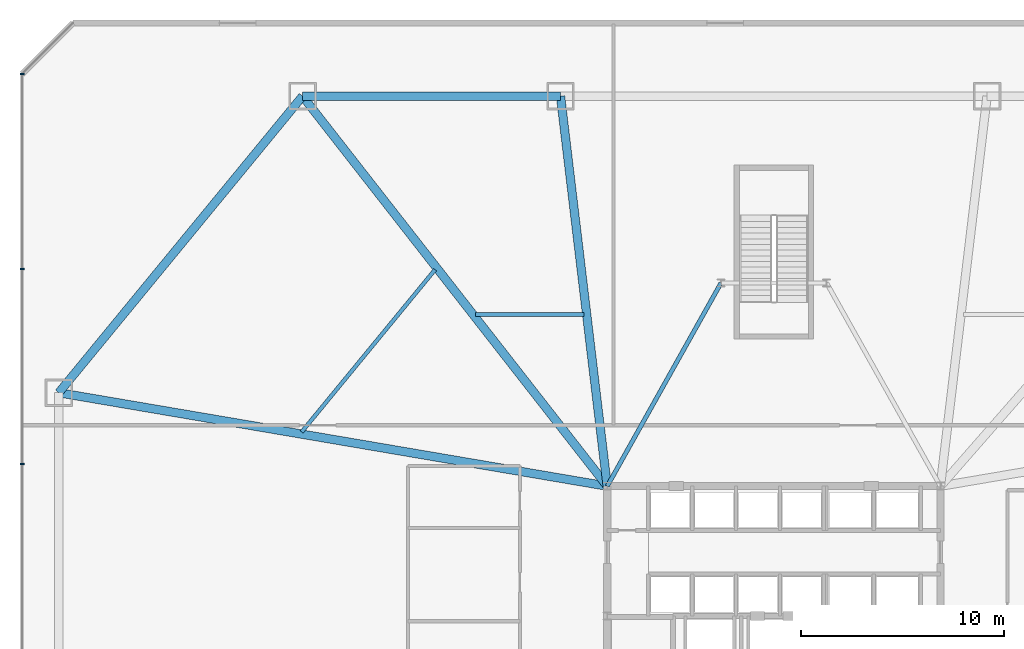
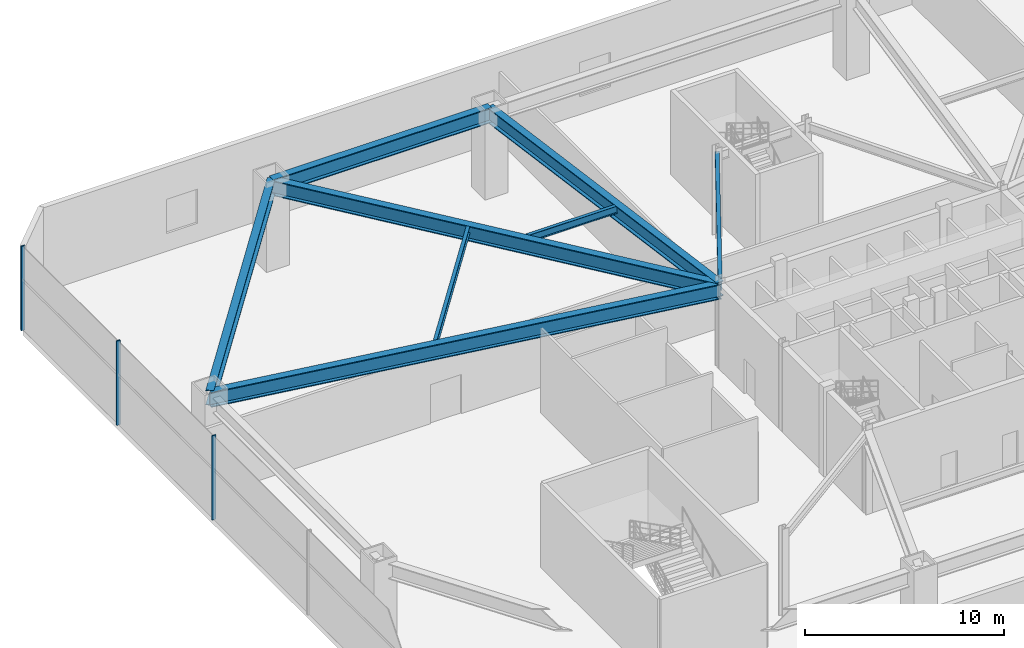
# One storey, part 7 of 20: 8 beams, 3 members, 1 element without a shape of its own.
"""IFC4 building model written with IfcOpenShell, lengths in metres."""

from ifc_helpers import new_model, si_unit, direction, frame, origin, origin_2d, place, context, subcontext, project, spatial, rectangle, i_section, extrude, source, transform, mapped, material, layer, layer_set, material_profile, profile_set, type_object, type_shapes, element, aggregate, save


model = new_model("IFC4")

# Units and contexts
model_context = context("Model", 3, precision=1e-05, world=origin(), true_north=direction((0.0, 1.0)))
body_context = subcontext(model_context, "Body", "Model", "MODEL_VIEW")
ifc_project = project(units=[si_unit("LENGTHUNIT", "METRE"), si_unit("AREAUNIT", "SQUARE_METRE"), si_unit("VOLUMEUNIT", "CUBIC_METRE"), si_unit("PLANEANGLEUNIT", "RADIAN"), si_unit("MASSUNIT", "GRAM", prefix="KILO")], contexts=[model_context])

# Site, building, storey
site_placement = place(None, origin())
site = spatial("IfcSite", under=ifc_project, at=site_placement, CompositionType="ELEMENT")
building_placement = place(site_placement, origin())
building = spatial("IfcBuilding", under=site, at=building_placement, Name="Varakhsha Concourse Tower", CompositionType="ELEMENT")
storey_placement = place(building_placement, frame((0.0, 0.0, 16.5)))
storey = spatial("IfcBuildingStorey", under=building, at=storey_placement, Name="L04", CompositionType="ELEMENT", Elevation=16.5)

# Beams
ifc_material_1 = material(Name="Structural Steel ASTM A992 Grade 50", Category="steel")
ifc_material_profile_1 = material_profile(ifc_material_1, i_section(OverallWidth=0.41796875, OverallDepth=0.927001953125, WebThickness=0.030029296875, FlangeThickness=0.051025390625, at=origin_2d()), Name="W36X231")
ifc_profile_set_1 = profile_set([ifc_material_profile_1], Name="Structural Steel ASTM A992 Grade 50")
beam_type_1 = type_object("IfcBeamType", Name="BM-HALL-W36X231", PredefinedType="USERDEFINED", material=ifc_profile_set_1)
beam_1_placement = place(storey_placement, frame((29.5, 50.39990234375, 4.716552734375), z_axis=(-1.0, 0.0, 0.0), x_axis=(0.0, -1.0, 0.0)))
element("IfcBeam", 1, at=beam_1_placement, inside=storey, type_object=beam_type_1, Name="BM-PRING-L04-09", ObjectType="GIRDER", PredefinedType="USERDEFINED", context=body_context, shape_type="SweptSolid", body=[
    extrude(i_section(OverallWidth=0.41796875, OverallDepth=0.927001953125, WebThickness=0.030029296875, FlangeThickness=0.051025390625, at=origin_2d()), origin(), (0.0, 0.0, 1.0), 12.699951171875),
])
beam_2_placement = place(storey_placement, frame((16.800048828125, 50.39990234375, 4.716552734375), z_axis=(-0.634968877859, -0.772537716976, 0.0), x_axis=(0.772537716976, -0.634968877859, 0.0)))
element("IfcBeam", 2, at=beam_2_placement, inside=storey, type_object=beam_type_1, Name="BM-PRING-L04-10", ObjectType="GIRDER", PredefinedType="USERDEFINED", context=body_context, shape_type="SweptSolid", body=[
    extrude(i_section(OverallWidth=0.41796875, OverallDepth=0.927001953125, WebThickness=0.030029296875, FlangeThickness=0.051025390625, at=origin_2d()), origin(), (0.0, 0.0, 1.0), 18.898681640625),
])
beam_3_placement = place(storey_placement, frame((31.800048828125, 31.199951171875, 4.716552734375), z_axis=(-0.118944087656, 0.992900953777, 0.0), x_axis=(-0.992900953777, -0.118944087656, 0.0)))
element("IfcBeam", 3, at=beam_3_placement, inside=storey, type_object=beam_type_1, Name="BM-PRAD-L04-09", ObjectType="GIRDER", PredefinedType="USERDEFINED", context=body_context, shape_type="SweptSolid", body=[
    extrude(i_section(OverallWidth=0.41796875, OverallDepth=0.927001953125, WebThickness=0.030029296875, FlangeThickness=0.051025390625, at=origin_2d()), origin(), (0.0, 0.0, 1.0), 19.337158203125),
])
beam_4_placement = place(storey_placement, frame((31.800048828125, 31.199951171875, 4.716552734375), z_axis=(-0.615645014223, 0.788023614153, 0.0), x_axis=(-0.788023614153, -0.615645014223, 0.0)))
element("IfcBeam", 4, at=beam_4_placement, inside=storey, type_object=beam_type_1, Name="BM-PRAD-L04-10", ObjectType="GIRDER", PredefinedType="USERDEFINED", context=body_context, shape_type="SweptSolid", body=[
    extrude(i_section(OverallWidth=0.41796875, OverallDepth=0.927001953125, WebThickness=0.030029296875, FlangeThickness=0.051025390625, at=origin_2d()), origin(), (0.0, 0.0, 1.0), 24.36474609375),
])
beam_5_placement = place(storey_placement, frame((31.800048828125, 31.199951171875, 4.716552734375), z_axis=(-0.985794867271, 0.167953802166, 0.0), x_axis=(-0.167953802166, -0.985794867271, 0.0)))
element("IfcBeam", 5, at=beam_5_placement, inside=storey, type_object=beam_type_1, Name="BM-PRAD-L04-11", ObjectType="GIRDER", PredefinedType="USERDEFINED", context=body_context, shape_type="SweptSolid", body=[
    extrude(i_section(OverallWidth=0.41796875, OverallDepth=0.927001953125, WebThickness=0.030029296875, FlangeThickness=0.051025390625, at=origin_2d()), origin(), (0.0, 0.0, 1.0), 27.38916015625),
])
ifc_material_profile_2 = material_profile(ifc_material_1, i_section(OverallWidth=0.19091796875, OverallDepth=0.45703125, WebThickness=0.009033203125, FlangeThickness=0.013916015625, at=origin_2d()), Name="W18X50")
ifc_profile_set_2 = profile_set([ifc_material_profile_2], Name="Structural Steel ASTM A992 Grade 50")
beam_type_2 = type_object("IfcBeamType", Name="BM-JST-W18X50", PredefinedType="JOIST", material=ifc_profile_set_2)
beam_6_placement = place(storey_placement, frame((30.66796875, 39.64794921875, 4.951416015625), z_axis=(-1.0, 0.0, 0.0), x_axis=(0.0, -1.0, 0.0)))
element("IfcBeam", 6, at=beam_6_placement, inside=storey, type_object=beam_type_2, Name="BM-PJST-L04-09", PredefinedType="JOIST", context=body_context, shape_type="SweptSolid", body=[
    extrude(i_section(OverallWidth=0.19091796875, OverallDepth=0.45703125, WebThickness=0.009033203125, FlangeThickness=0.013916015625, at=origin_2d()), origin(), (0.0, 0.0, 1.0), 5.347900390625),
])
beam_7_placement = place(storey_placement, frame((23.32373046875, 41.859375, 4.951416015625), z_axis=(-0.634959865375, -0.772545124483, 0.0), x_axis=(0.772545124483, -0.634959865375, 0.0)))
element("IfcBeam", 7, at=beam_7_placement, inside=storey, type_object=beam_type_2, Name="BM-PJST-L04-10", PredefinedType="JOIST", context=body_context, shape_type="SweptSolid", body=[
    extrude(i_section(OverallWidth=0.19091796875, OverallDepth=0.45703125, WebThickness=0.009033203125, FlangeThickness=0.013916015625, at=origin_2d()), origin(), (0.0, 0.0, 1.0), 10.34326171875),
])
ifc_material_profile_3 = material_profile(ifc_material_1, i_section(OverallWidth=0.2109375, OverallDepth=0.5390625, WebThickness=0.011962890625, FlangeThickness=0.01904296875, at=origin_2d()), Name="W21X73")
ifc_profile_set_3 = profile_set([ifc_material_profile_3], Name="Structural Steel ASTM A992 Grade 50")
beam_type_3 = type_object("IfcBeamType", Name="BM-RAD-W21X73", PredefinedType="BEAM", material=ifc_profile_set_3)
beam_8_placement = place(storey_placement, frame((31.800048828125, 31.199951171875, 4.910400390625), z_axis=(0.488593639205, 0.872511464526, 0.0), x_axis=(-0.872511464526, 0.488593639205, 0.0)))
element("IfcBeam", 8, at=beam_8_placement, inside=storey, type_object=beam_type_3, Name="BM-CORE-L04-NSW", PredefinedType="BEAM", context=body_context, shape_type="SweptSolid", body=[
    extrude(i_section(OverallWidth=0.2109375, OverallDepth=0.5390625, WebThickness=0.011962890625, FlangeThickness=0.01904296875, at=origin_2d()), origin(), (0.0, 0.0, 1.0), 11.461181640625),
])

# Curtain wall, members
ifc_material_2 = material(Name="Anodised Bronze Architectural Aluminium AA 6063-T6", Category="aluminium")
ifc_layer = layer(ifc_material_2, 0.239990234375, Name="CW-SYS-01")
ifc_layer_set = layer_set([ifc_layer], Name="Anodised Bronze Architectural Aluminium AA 6063-T6")
curtain_wall_type = type_object("IfcCurtainWallType", Name="CW-SYS-01", PredefinedType="NOTDEFINED", material=ifc_layer_set)
curtain_wall_placement = place(storey_placement, origin())
curtain_wall = element("IfcCurtainWall", 9, at=curtain_wall_placement, inside=storey, type_object=curtain_wall_type, Name="L04 Podium Curtain Wall 07", PredefinedType="NOTDEFINED")
ifc_material_profile_4 = material_profile(ifc_material_2, rectangle(XDim=0.074951171875, YDim=0.219970703125, at=origin_2d()), Name="CWM-220X75")
ifc_profile_set_4 = profile_set([ifc_material_profile_4], Name="Anodised Bronze Architectural Aluminium AA 6063-T6")
member_type = type_object("IfcMemberType", Name="CWM-220X75", PredefinedType="MULLION", material=ifc_profile_set_4)
shared_shape = source(origin(), body_context, "Body", "SweptSolid", [
    extrude(rectangle(XDim=0.074951171875, YDim=0.219970703125, at=origin_2d()), origin(), (0.0, 0.0, 1.0), 5.179931640625),
])
type_shapes(member_type, [shared_shape])
member_1_placement = place(storey_placement, frame((3.0, 51.5, 0.0), z_axis=(0.0, 0.0, 1.0), x_axis=(0.0, -1.0, 0.0)))
member_1 = element("IfcMember", 10, at=member_1_placement, type_object=member_type, Name="CW-POD-L04-07 Mullion 00", PredefinedType="MULLION", context=body_context, shape_type="MappedRepresentation", body=[
    mapped(shared_shape, transform((0.0, 0.0, 0.0), scale=1.0)),
])
member_2_placement = place(storey_placement, frame((3.0, 41.89990234375, 0.0), z_axis=(0.0, 0.0, 1.0), x_axis=(0.0, -1.0, 0.0)))
member_2 = element("IfcMember", 11, at=member_2_placement, type_object=member_type, Name="CW-POD-L04-07 Mullion 01", PredefinedType="MULLION", context=body_context, shape_type="MappedRepresentation", body=[
    mapped(shared_shape, transform((0.0, 0.0, 0.0), scale=1.0)),
])
member_3_placement = place(storey_placement, frame((3.0, 32.300048828125, 0.0), z_axis=(0.0, 0.0, 1.0), x_axis=(0.0, -1.0, 0.0)))
member_3 = element("IfcMember", 12, at=member_3_placement, type_object=member_type, Name="CW-POD-L04-07 Mullion 02", PredefinedType="MULLION", context=body_context, shape_type="MappedRepresentation", body=[
    mapped(shared_shape, transform((0.0, 0.0, 0.0), scale=1.0)),
])
aggregate(curtain_wall, [member_1, member_2, member_3])

save(model, "model.ifc")
